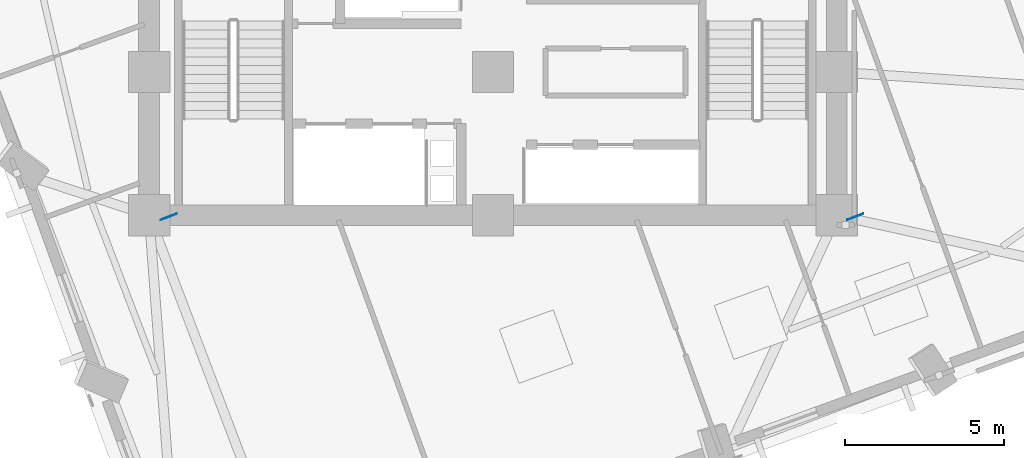
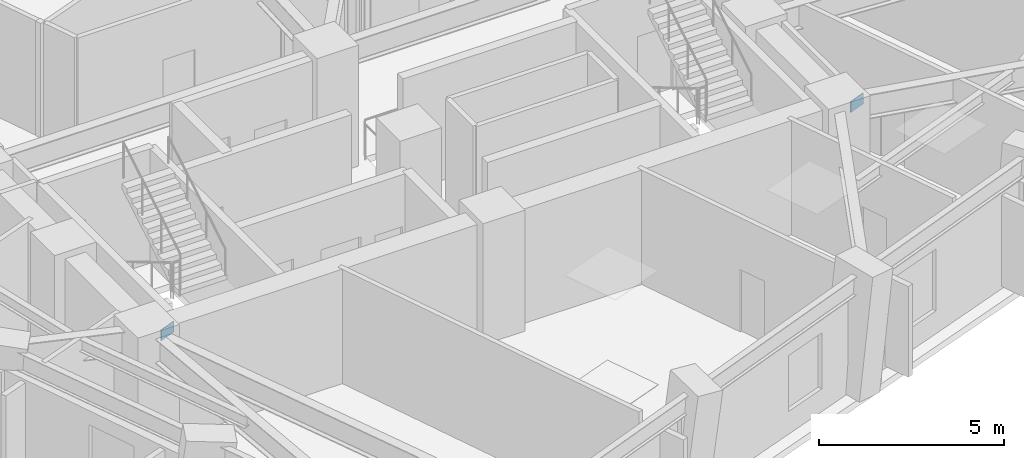
# One storey, part 7 of 17: 2 plates.
"""IFC4 building model written with IfcOpenShell, lengths in metres."""

import ifcopenshell
import ifcopenshell.guid

model = None  # the IFC model being written
_history = None  # IfcOwnerHistory: only IFC2X3 demands one
_inside = {}  # id of a spatial element -> (the spatial element, [elements in it])
_under = {}  # id of a project, library or spatial element -> (it, [spatial elements below it])
_declared = {}  # id of a project -> (the project, [libraries it declares])
_typed = {}  # id of a type object -> (the type object, [elements of that type])
_made_of = {}  # id of a material, layer set ... -> (it, [elements and type objects made of it])


def new_model(schema):
    """Start an empty IFC model of exactly this schema.

    Asked for "IFC4X3", IfcOpenShell would pick the latest addendum, in which some entities
    have other attributes; the version numbers below select the first issue.
    IFC2X3 requires an IfcOwnerHistory on every rooted entity: one is made here for all.
    """
    global model, _history
    if schema == "IFC4X3":
        model = ifcopenshell.file(schema_version=(4, 3, 0, 0))
    else:
        model = ifcopenshell.file(schema=schema)
    _inside.clear()
    _under.clear()
    _declared.clear()
    _typed.clear()
    _made_of.clear()
    _history = None
    if model.schema == "IFC2X3":
        org = make("IfcOrganization", Name="unknown")
        user = make(
            "IfcPersonAndOrganization",
            ThePerson=make("IfcPerson", FamilyName="unknown"),
            TheOrganization=org,
        )
        app = make(
            "IfcApplication",
            ApplicationDeveloper=org,
            Version="unknown",
            ApplicationFullName="unknown",
            ApplicationIdentifier="unknown",
        )
        _history = make(
            "IfcOwnerHistory",
            OwningUser=user,
            OwningApplication=app,
            ChangeAction="ADDED",
            CreationDate=0,
        )
    return model


def make(cls, **values):
    """One entity of the class cls with the attributes given. An attribute that is None is left unset."""
    return model.create_entity(
        cls, **{name: value for name, value in values.items() if value is not None}
    )


def rooted(cls, **values):
    """An entity with a GlobalId (a new one), such as an element, a storey or a relation."""
    return make(cls, GlobalId=ifcopenshell.guid.new(), OwnerHistory=_history, **values)


def si_unit(unit_type, name, prefix=None):
    """IfcSIUnit, for example si_unit("LENGTHUNIT", "METRE", prefix="MILLI")."""
    return make("IfcSIUnit", UnitType=unit_type, Prefix=prefix, Name=name)


def assignment(units):
    """IfcUnitAssignment: the units of a project."""
    return None if units is None else make("IfcUnitAssignment", Units=units)


def point(xyz):
    """IfcCartesianPoint."""
    return None if xyz is None else make("IfcCartesianPoint", Coordinates=xyz)


def direction(xyz):
    """IfcDirection."""
    return None if xyz is None else make("IfcDirection", DirectionRatios=xyz)


def frame(location, z_axis=None, x_axis=None):
    """IfcAxis2Placement3D, a coordinate frame: its origin and axes. An axis left out is left unset."""
    return make(
        "IfcAxis2Placement3D",
        Location=point(location),
        Axis=direction(z_axis),
        RefDirection=direction(x_axis),
    )


def frame_2d(location, x_axis=None):
    """IfcAxis2Placement2D, a coordinate frame in the plane: its origin and x axis."""
    return make(
        "IfcAxis2Placement2D", Location=point(location), RefDirection=direction(x_axis)
    )


def origin():
    """The frame at (0, 0, 0) with its axes left unset."""
    return frame((0.0, 0.0, 0.0))


def origin_2d():
    """The frame at (0, 0) in the plane with its x axis left unset."""
    return frame_2d((0.0, 0.0))


def place(relative_to, where):
    """IfcLocalPlacement: puts the frame where relative to a parent placement (None: the world)."""
    return make(
        "IfcLocalPlacement", PlacementRelTo=relative_to, RelativePlacement=where
    )


def context(
    kind, dimensions, precision=None, world=None, true_north=None, identifier=None
):
    """IfcGeometricRepresentationContext, for example the 3D "Model" context."""
    return make(
        "IfcGeometricRepresentationContext",
        ContextIdentifier=identifier,
        ContextType=kind,
        CoordinateSpaceDimension=dimensions,
        Precision=precision,
        WorldCoordinateSystem=world,
        TrueNorth=true_north,
    )


def subcontext(parent, identifier, kind, view, scale=None):
    """IfcGeometricRepresentationSubContext, for example "Body" below "Model"."""
    return make(
        "IfcGeometricRepresentationSubContext",
        ContextIdentifier=identifier,
        ContextType=kind,
        ParentContext=parent,
        TargetScale=scale,
        TargetView=view,
    )


def project(units=None, contexts=None):
    """IfcProject with its units and contexts."""
    return rooted(
        "IfcProject",
        Name="project",
        RepresentationContexts=contexts,
        UnitsInContext=assignment(units),
    )


def spatial(cls, under=None, at=None, **own):
    """A site, building, storey or space (cls), placed at a placement, below another one or the project."""
    s = rooted(cls, ObjectPlacement=at, **own)
    if under is not None:
        _under.setdefault(under.id(), (under, []))[1].append(s)
    return s


def profile(cls, at=None, kind="AREA", **sizes):
    """A parametric profile (cls). Its sizes go by their IFC names, for example OverallWidth=200.0."""
    return make(cls, ProfileType=kind, Position=at, **sizes)


def rectangle(**sizes):
    """IfcRectangleProfileDef."""
    return profile("IfcRectangleProfileDef", **sizes)


def extrude(swept, where, along, depth):
    """IfcExtrudedAreaSolid: the profile swept, set in the frame where, extruded along a direction by depth."""
    return make(
        "IfcExtrudedAreaSolid",
        SweptArea=swept,
        Position=where,
        ExtrudedDirection=direction(along),
        Depth=depth,
    )


def shape(context_of_items, identifier, shape_type, items):
    """IfcShapeRepresentation: the items that make up one representation, for example the "Body"."""
    return make(
        "IfcShapeRepresentation",
        ContextOfItems=context_of_items,
        RepresentationIdentifier=identifier,
        RepresentationType=shape_type,
        Items=items,
    )


def material(Name=None, Category=None):
    """IfcMaterial."""
    return make("IfcMaterial", Name=Name, Category=Category)


def layer(
    of_material, thickness, ventilated=None, Name=None, Category=None, Priority=None
):
    """IfcMaterialLayer: one layer of a wall or slab, of a material (None: an air gap)."""
    return make(
        "IfcMaterialLayer",
        Material=of_material,
        LayerThickness=thickness,
        IsVentilated=ventilated,
        Name=Name,
        Category=Category,
        Priority=Priority,
    )


def layer_set(layers, Name=None):
    """IfcMaterialLayerSet."""
    return make("IfcMaterialLayerSet", MaterialLayers=layers, LayerSetName=Name)


def made_of(thing, what):
    """Note that an element or type object is made of a material, layer set ...; save() writes the relation."""
    if what is not None:
        _made_of.setdefault(what.id(), (what, []))[1].append(thing)
    return thing


def type_object(cls, material=None, **own):
    """A type object (cls), such as IfcWallType, which elements share."""
    return made_of(rooted(cls, **own), material)


def element(
    cls,
    number,
    at=None,
    inside=None,
    cuts=None,
    type_object=None,
    material=None,
    context=None,
    identifier="Body",
    shape_type=None,
    held_by="IfcProductDefinitionShape",
    body=None,
    shapes=None,
    **own,
):
    """One element of the class cls, such as IfcWall. Its Tag is "e" and its number.

    at: its placement. inside: the storey or other place that contains it. cuts: it is an
    opening in that element (IfcRelVoidsElement). A single representation is given by context,
    identifier, shape_type and body (its items); several are given by shapes. held_by: the class
    of the entity that holds the representations. save() writes the other relations.
    """
    e = rooted(cls, Tag="e%d" % number, ObjectPlacement=at, **own)
    if body is not None:
        shapes = [shape(context, identifier, shape_type, body)]
    if shapes is not None:
        e.Representation = make(held_by, Representations=shapes)
    if inside is not None:
        _inside.setdefault(inside.id(), (inside, []))[1].append(e)
    if cuts is not None:
        rooted(
            "IfcRelVoidsElement", RelatingBuildingElement=cuts, RelatedOpeningElement=e
        )
    if type_object is not None:
        _typed.setdefault(type_object.id(), (type_object, []))[1].append(e)
    return made_of(e, material)


def aggregate(whole, parts):
    """IfcRelAggregates: a whole, such as a stair, and the parts it consists of."""
    return rooted("IfcRelAggregates", RelatingObject=whole, RelatedObjects=parts)


def save(model, path):
    """Write the relations noted so far, then the file.

    IfcRelAggregates (storeys below a building ...), IfcRelContainedInSpatialStructure (elements
    in a storey), IfcRelDefinesByType, IfcRelAssociatesMaterial and IfcRelDeclares: one each for
    every whole, place, type object, material and project.
    """
    for whole, parts in _under.values():
        aggregate(whole, parts)
    for where, things in _inside.values():
        rooted(
            "IfcRelContainedInSpatialStructure",
            RelatedElements=things,
            RelatingStructure=where,
        )
    for kind, things in _typed.values():
        rooted("IfcRelDefinesByType", RelatedObjects=things, RelatingType=kind)
    for what, things in _made_of.values():
        rooted("IfcRelAssociatesMaterial", RelatedObjects=things, RelatingMaterial=what)
    for by, libraries in _declared.values():
        rooted("IfcRelDeclares", RelatingContext=by, RelatedDefinitions=libraries)
    model.write(path)


model = new_model("IFC4")

# Units and contexts
model_context = context("Model", 3, precision=1e-05, world=origin(), true_north=direction((0.0, 1.0)))
body_context = subcontext(model_context, "Body", "Model", "MODEL_VIEW")
ifc_project = project(units=[si_unit("LENGTHUNIT", "METRE"), si_unit("AREAUNIT", "SQUARE_METRE"), si_unit("VOLUMEUNIT", "CUBIC_METRE"), si_unit("PLANEANGLEUNIT", "RADIAN"), si_unit("MASSUNIT", "GRAM", prefix="KILO")], contexts=[model_context])

# Site, building, storey
site_placement = place(None, origin())
site = spatial("IfcSite", under=ifc_project, at=site_placement, CompositionType="ELEMENT")
building_placement = place(site_placement, origin())
building = spatial("IfcBuilding", under=site, at=building_placement, Name="Gaonmaruhae Medical Tower", CompositionType="ELEMENT")
storey_placement = place(building_placement, frame((0.0, 0.0, 108.39990234375)))
storey = spatial("IfcBuildingStorey", under=building, at=storey_placement, Name="L25", CompositionType="ELEMENT", Elevation=108.39990234375)

# Plates
ifc_material = material(Name="Steel HSA650 (650 MPa)", Category="steel")
ifc_layer = layer(ifc_material, 0.02392578125)
ifc_layer_set = layer_set([ifc_layer], Name="Steel HSA650 (650 MPa)")
plate_type = type_object("IfcPlateType", Name="SP-P1 Girder Web Splice Plate", PredefinedType="SHEET", material=ifc_layer_set)
for number, where, z_axis, x_axis, name in (
    (1, (14.61767578125, 7.75341796875, 3.25), (0.0, 0.0, 1.0), (0.934204474321, 0.35673799932, 0.0), "L25 Girder Web Splice Plate SPL1"),
    (2, (36.178955078125, 7.754638671875, 3.25), (0.0, 0.0, 1.0), (0.934204474321, 0.35673799932, 0.0), "L25 Girder Web Splice Plate SPL2"),
):
    element("IfcPlate", number, at=place(storey_placement, frame(where, z_axis=z_axis, x_axis=x_axis)), inside=storey, type_object=plate_type, Name=name, PredefinedType="SHEET", context=body_context, shape_type="SweptSolid", body=[
        extrude(rectangle(XDim=0.5400390625, YDim=0.02392578125, at=origin_2d()), origin(), (0.0, 0.0, 1.0), 0.360107421875),
    ])

save(model, "model.ifc")
